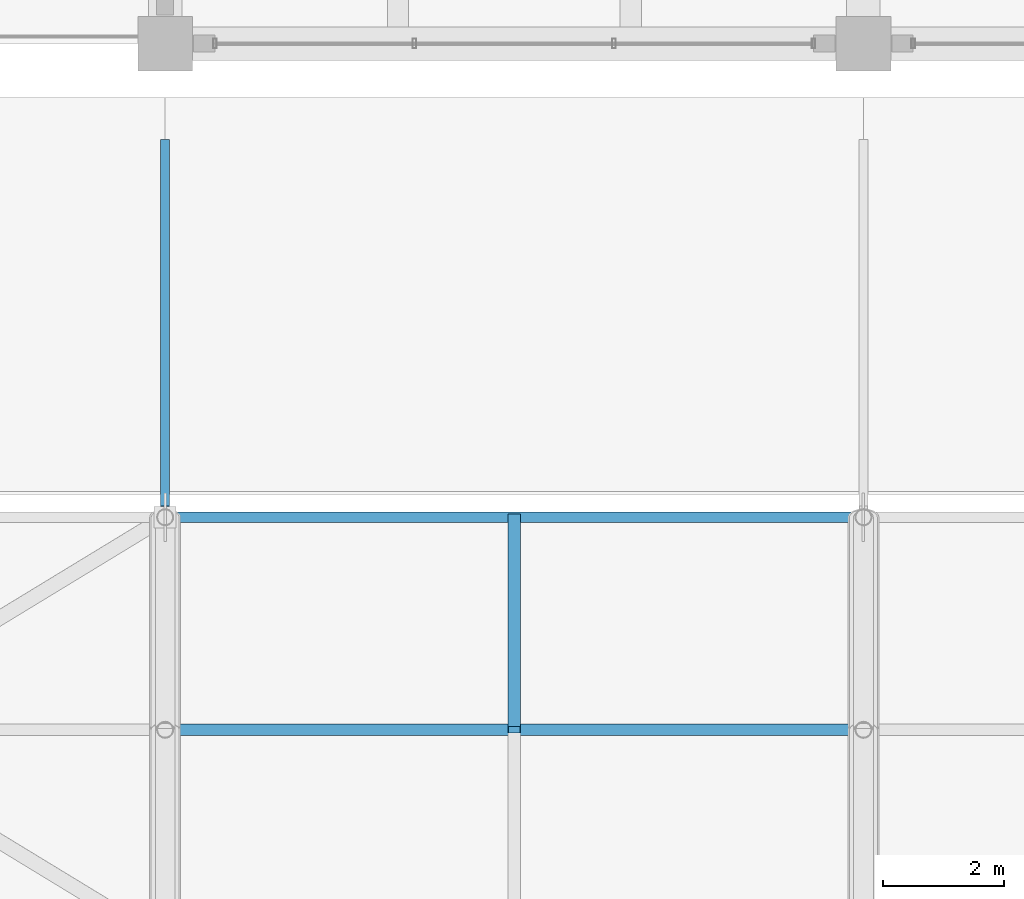
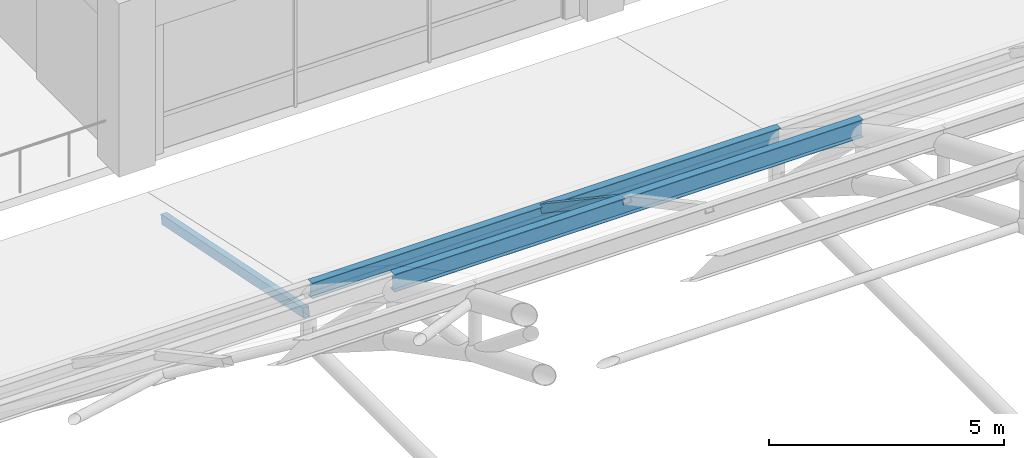
# One storey, part 66 of 154: 4 members.
"""IFC4 building model written with IfcOpenShell, lengths in metres."""

from ifc_helpers import new_model, si_unit, direction, frame, origin, origin_2d, place, context, subcontext, project, spatial, hollow_rectangle, i_section, extrude, material, material_profile, profile_set, type_object, element, save


model = new_model("IFC4")

# Units and contexts
model_context = context("Model", 3, precision=1e-05, world=origin(), true_north=direction((0.0, 1.0)))
body_context = subcontext(model_context, "Body", "Model", "MODEL_VIEW")
ifc_project = project(units=[si_unit("LENGTHUNIT", "METRE"), si_unit("AREAUNIT", "SQUARE_METRE"), si_unit("VOLUMEUNIT", "CUBIC_METRE"), si_unit("PLANEANGLEUNIT", "RADIAN"), si_unit("MASSUNIT", "GRAM", prefix="KILO")], contexts=[model_context])

# Site, building, storey
site_placement = place(None, origin())
site = spatial("IfcSite", under=ifc_project, at=site_placement, CompositionType="ELEMENT")
building_placement = place(site_placement, origin())
building = spatial("IfcBuilding", under=site, at=building_placement, Name="Ologun Quay Terminus", CompositionType="ELEMENT")
storey_placement = place(building_placement, frame((0.0, 0.0, 13.800048828125)))
storey = spatial("IfcBuildingStorey", under=building, at=storey_placement, Name="L03", CompositionType="ELEMENT", Elevation=13.800048828125)

# Members
ifc_material_1 = material(Name="Steel S355", Category="steel")
ifc_material_profile_1 = material_profile(ifc_material_1, hollow_rectangle(XDim=0.199951171875, YDim=0.199951171875, WallThickness=0.008056640625, at=origin_2d()), Name="SHS 200x200x8")
ifc_profile_set_1 = profile_set([ifc_material_profile_1], Name="Steel S355")
member_type_1 = type_object("IfcMemberType", Name="Skylight Cross Transom Bar RHS150", PredefinedType="STRUT", material=ifc_profile_set_1)
member_1_placement = place(storey_placement, frame((28.75, 74.5, 3.851806640625), z_axis=(0.0, 0.830398014247, -0.55717065423), x_axis=(-1.0, 0.0, 0.0)))
element("IfcMember", 1, at=member_1_placement, inside=storey, type_object=member_type_1, Name="SK2 Eave Secondary Rafter B3-P12", PredefinedType="STRUT", context=body_context, shape_type="SweptSolid", body=[
    extrude(hollow_rectangle(XDim=0.199951171875, YDim=0.199951171875, WallThickness=0.008056640625, at=origin_2d()), origin(), (0.0, 0.0, 1.0), 4.21484375),
])
ifc_material_2 = material(Name="Steel S355", Category="steel")
ifc_material_profile_2 = material_profile(ifc_material_2, hollow_rectangle(XDim=0.14990234375, YDim=0.25, WallThickness=0.008056640625, at=origin_2d()), Name="RHS 250x150x8")
ifc_profile_set_2 = profile_set([ifc_material_profile_2], Name="Steel S355")
member_type_2 = type_object("IfcMemberType", Name="Skylight Longitudinal Glazing Bar RHS200", PredefinedType="PURLIN", material=ifc_profile_set_2)
member_2_placement = place(storey_placement, frame((23.0, 84.199951171875, -0.520263671875), z_axis=(0.0, -0.98005285553, 0.19873701308), x_axis=(1.0, 0.0, 0.0)))
element("IfcMember", 2, at=member_2_placement, inside=storey, type_object=member_type_2, Name="SK1 Inclined Roof Rafter L03-NGAL-3", PredefinedType="PURLIN", context=body_context, shape_type="SweptSolid", body=[
    extrude(hollow_rectangle(XDim=0.14990234375, YDim=0.25, WallThickness=0.008056640625, at=origin_2d()), origin(), (0.0, 0.0, 1.0), 6.16064453125),
])
ifc_material_3 = material(Name="Steel S355", Category="steel")
ifc_material_profile_3 = material_profile(ifc_material_3, i_section(OverallWidth=0.177978515625, OverallDepth=0.406494140625, WebThickness=0.0078125, FlangeThickness=0.0126953125, at=origin_2d()), Name="UKB 406x178x60")
ifc_profile_set_3 = profile_set([ifc_material_profile_3], Name="Steel S355")
member_type_3 = type_object("IfcMemberType", Name="Train Shed Eave & Ridge Purlin UKB406", PredefinedType="PURLIN", material=ifc_profile_set_3)
member_3_placement = place(storey_placement, frame((23.0, 78.0, 1.403076171875), z_axis=(1.0, 0.0, 0.0), x_axis=(0.0, 1.0, 0.0)))
element("IfcMember", 3, at=member_3_placement, inside=storey, type_object=member_type_3, Name="PR2 Roof Purlin B3-N12", PredefinedType="PURLIN", context=body_context, shape_type="SweptSolid", body=[
    extrude(i_section(OverallWidth=0.177978515625, OverallDepth=0.406494140625, WebThickness=0.0078125, FlangeThickness=0.0126953125, at=origin_2d()), origin(), (0.0, 0.0, 1.0), 11.5),
])
ifc_material_4 = material(Name="Steel S355", Category="steel")
ifc_material_profile_4 = material_profile(ifc_material_4, i_section(OverallWidth=0.1904296875, OverallDepth=0.45703125, WebThickness=0.009033203125, FlangeThickness=0.014404296875, at=origin_2d()), Name="UKB 457x191x74")
ifc_profile_set_4 = profile_set([ifc_material_profile_4], Name="Steel S355")
member_type_4 = type_object("IfcMemberType", Name="Train Shed Primary Roof Purlin UKB457", PredefinedType="PURLIN", material=ifc_profile_set_4)
member_4_placement = place(storey_placement, frame((23.0, 74.5, 3.726318359375), z_axis=(1.0, 0.0, 0.0), x_axis=(0.0, 1.0, 0.0)))
element("IfcMember", 4, at=member_4_placement, inside=storey, type_object=member_type_4, Name="PR1 Roof Purlin B3-N11", PredefinedType="PURLIN", context=body_context, shape_type="SweptSolid", body=[
    extrude(i_section(OverallWidth=0.1904296875, OverallDepth=0.45703125, WebThickness=0.009033203125, FlangeThickness=0.014404296875, at=origin_2d()), origin(), (0.0, 0.0, 1.0), 11.5),
])

save(model, "model.ifc")
